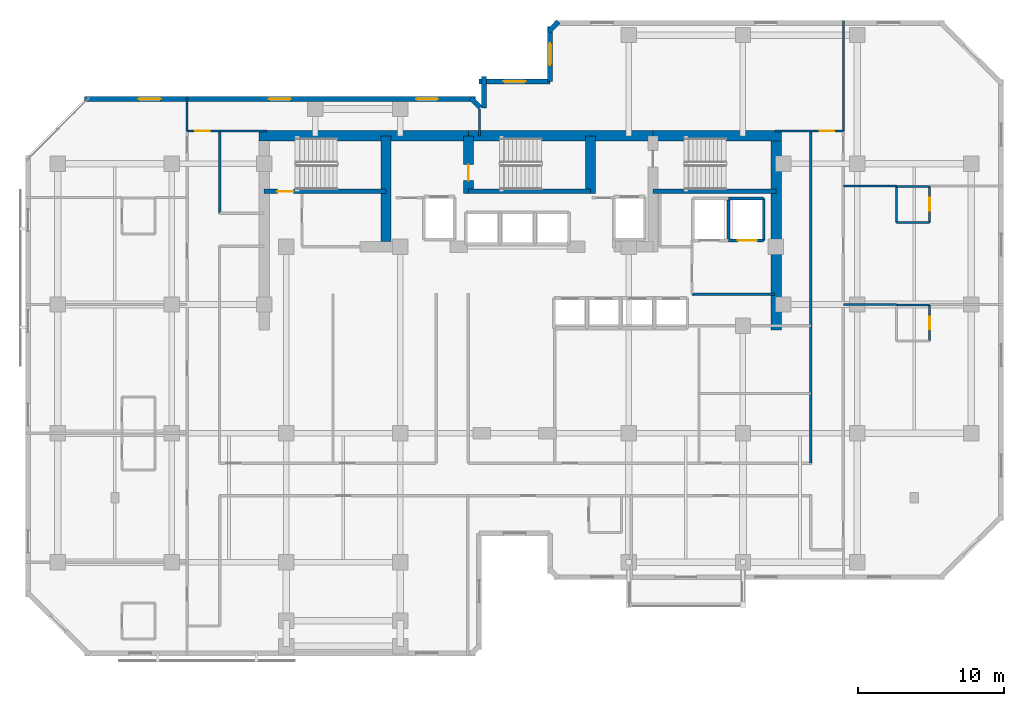
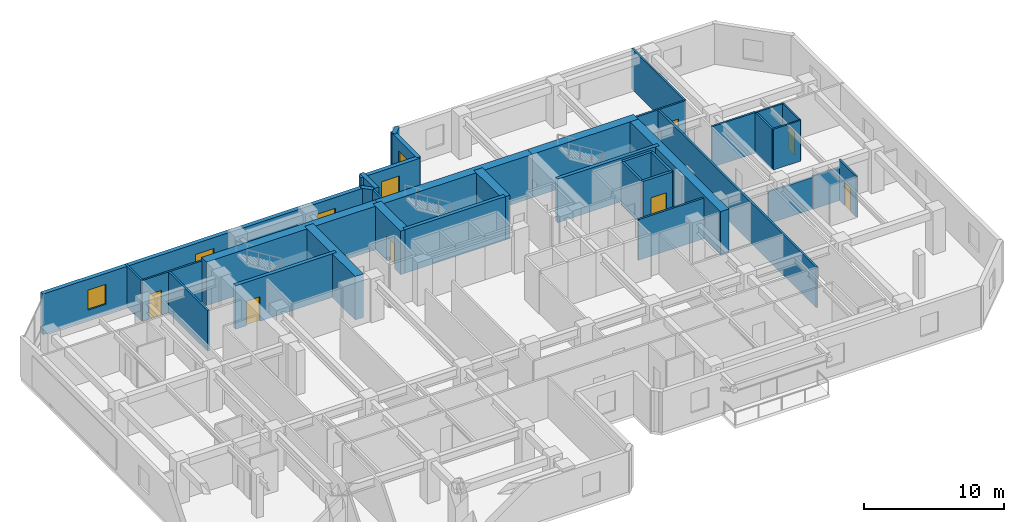
# One storey, part 8 of 11: 36 walls, 7 doors, 5 windows, 12 openings.
"""IFC4 building model written with IfcOpenShell, lengths in metres."""

import ifcopenshell
import ifcopenshell.guid

model = None  # the IFC model being written
_history = None  # IfcOwnerHistory: only IFC2X3 demands one
_inside = {}  # id of a spatial element -> (the spatial element, [elements in it])
_under = {}  # id of a project, library or spatial element -> (it, [spatial elements below it])
_declared = {}  # id of a project -> (the project, [libraries it declares])
_typed = {}  # id of a type object -> (the type object, [elements of that type])
_made_of = {}  # id of a material, layer set ... -> (it, [elements and type objects made of it])


def new_model(schema):
    """Start an empty IFC model of exactly this schema.

    Asked for "IFC4X3", IfcOpenShell would pick the latest addendum, in which some entities
    have other attributes; the version numbers below select the first issue.
    IFC2X3 requires an IfcOwnerHistory on every rooted entity: one is made here for all.
    """
    global model, _history
    if schema == "IFC4X3":
        model = ifcopenshell.file(schema_version=(4, 3, 0, 0))
    else:
        model = ifcopenshell.file(schema=schema)
    _inside.clear()
    _under.clear()
    _declared.clear()
    _typed.clear()
    _made_of.clear()
    _history = None
    if model.schema == "IFC2X3":
        org = make("IfcOrganization", Name="unknown")
        user = make(
            "IfcPersonAndOrganization",
            ThePerson=make("IfcPerson", FamilyName="unknown"),
            TheOrganization=org,
        )
        app = make(
            "IfcApplication",
            ApplicationDeveloper=org,
            Version="unknown",
            ApplicationFullName="unknown",
            ApplicationIdentifier="unknown",
        )
        _history = make(
            "IfcOwnerHistory",
            OwningUser=user,
            OwningApplication=app,
            ChangeAction="ADDED",
            CreationDate=0,
        )
    return model


def make(cls, **values):
    """One entity of the class cls with the attributes given. An attribute that is None is left unset."""
    return model.create_entity(
        cls, **{name: value for name, value in values.items() if value is not None}
    )


def rooted(cls, **values):
    """An entity with a GlobalId (a new one), such as an element, a storey or a relation."""
    return make(cls, GlobalId=ifcopenshell.guid.new(), OwnerHistory=_history, **values)


def si_unit(unit_type, name, prefix=None):
    """IfcSIUnit, for example si_unit("LENGTHUNIT", "METRE", prefix="MILLI")."""
    return make("IfcSIUnit", UnitType=unit_type, Prefix=prefix, Name=name)


def assignment(units):
    """IfcUnitAssignment: the units of a project."""
    return None if units is None else make("IfcUnitAssignment", Units=units)


def point(xyz):
    """IfcCartesianPoint."""
    return None if xyz is None else make("IfcCartesianPoint", Coordinates=xyz)


def direction(xyz):
    """IfcDirection."""
    return None if xyz is None else make("IfcDirection", DirectionRatios=xyz)


def frame(location, z_axis=None, x_axis=None):
    """IfcAxis2Placement3D, a coordinate frame: its origin and axes. An axis left out is left unset."""
    return make(
        "IfcAxis2Placement3D",
        Location=point(location),
        Axis=direction(z_axis),
        RefDirection=direction(x_axis),
    )


def frame_2d(location, x_axis=None):
    """IfcAxis2Placement2D, a coordinate frame in the plane: its origin and x axis."""
    return make(
        "IfcAxis2Placement2D", Location=point(location), RefDirection=direction(x_axis)
    )


def origin():
    """The frame at (0, 0, 0) with its axes left unset."""
    return frame((0.0, 0.0, 0.0))


def place(relative_to, where):
    """IfcLocalPlacement: puts the frame where relative to a parent placement (None: the world)."""
    return make(
        "IfcLocalPlacement", PlacementRelTo=relative_to, RelativePlacement=where
    )


def context(
    kind, dimensions, precision=None, world=None, true_north=None, identifier=None
):
    """IfcGeometricRepresentationContext, for example the 3D "Model" context."""
    return make(
        "IfcGeometricRepresentationContext",
        ContextIdentifier=identifier,
        ContextType=kind,
        CoordinateSpaceDimension=dimensions,
        Precision=precision,
        WorldCoordinateSystem=world,
        TrueNorth=true_north,
    )


def subcontext(parent, identifier, kind, view, scale=None):
    """IfcGeometricRepresentationSubContext, for example "Body" below "Model"."""
    return make(
        "IfcGeometricRepresentationSubContext",
        ContextIdentifier=identifier,
        ContextType=kind,
        ParentContext=parent,
        TargetScale=scale,
        TargetView=view,
    )


def project(units=None, contexts=None):
    """IfcProject with its units and contexts."""
    return rooted(
        "IfcProject",
        Name="project",
        RepresentationContexts=contexts,
        UnitsInContext=assignment(units),
    )


def spatial(cls, under=None, at=None, **own):
    """A site, building, storey or space (cls), placed at a placement, below another one or the project."""
    s = rooted(cls, ObjectPlacement=at, **own)
    if under is not None:
        _under.setdefault(under.id(), (under, []))[1].append(s)
    return s


def profile(cls, at=None, kind="AREA", **sizes):
    """A parametric profile (cls). Its sizes go by their IFC names, for example OverallWidth=200.0."""
    return make(cls, ProfileType=kind, Position=at, **sizes)


def rectangle(**sizes):
    """IfcRectangleProfileDef."""
    return profile("IfcRectangleProfileDef", **sizes)


def extrude(swept, where, along, depth):
    """IfcExtrudedAreaSolid: the profile swept, set in the frame where, extruded along a direction by depth."""
    return make(
        "IfcExtrudedAreaSolid",
        SweptArea=swept,
        Position=where,
        ExtrudedDirection=direction(along),
        Depth=depth,
    )


def shape(context_of_items, identifier, shape_type, items):
    """IfcShapeRepresentation: the items that make up one representation, for example the "Body"."""
    return make(
        "IfcShapeRepresentation",
        ContextOfItems=context_of_items,
        RepresentationIdentifier=identifier,
        RepresentationType=shape_type,
        Items=items,
    )


def material(Name=None, Category=None):
    """IfcMaterial."""
    return make("IfcMaterial", Name=Name, Category=Category)


def layer(
    of_material, thickness, ventilated=None, Name=None, Category=None, Priority=None
):
    """IfcMaterialLayer: one layer of a wall or slab, of a material (None: an air gap)."""
    return make(
        "IfcMaterialLayer",
        Material=of_material,
        LayerThickness=thickness,
        IsVentilated=ventilated,
        Name=Name,
        Category=Category,
        Priority=Priority,
    )


def layer_set(layers, Name=None):
    """IfcMaterialLayerSet."""
    return make("IfcMaterialLayerSet", MaterialLayers=layers, LayerSetName=Name)


def made_of(thing, what):
    """Note that an element or type object is made of a material, layer set ...; save() writes the relation."""
    if what is not None:
        _made_of.setdefault(what.id(), (what, []))[1].append(thing)
    return thing


def type_object(cls, material=None, **own):
    """A type object (cls), such as IfcWallType, which elements share."""
    return made_of(rooted(cls, **own), material)


def element(
    cls,
    number,
    at=None,
    inside=None,
    cuts=None,
    type_object=None,
    material=None,
    context=None,
    identifier="Body",
    shape_type=None,
    held_by="IfcProductDefinitionShape",
    body=None,
    shapes=None,
    **own,
):
    """One element of the class cls, such as IfcWall. Its Tag is "e" and its number.

    at: its placement. inside: the storey or other place that contains it. cuts: it is an
    opening in that element (IfcRelVoidsElement). A single representation is given by context,
    identifier, shape_type and body (its items); several are given by shapes. held_by: the class
    of the entity that holds the representations. save() writes the other relations.
    """
    e = rooted(cls, Tag="e%d" % number, ObjectPlacement=at, **own)
    if body is not None:
        shapes = [shape(context, identifier, shape_type, body)]
    if shapes is not None:
        e.Representation = make(held_by, Representations=shapes)
    if inside is not None:
        _inside.setdefault(inside.id(), (inside, []))[1].append(e)
    if cuts is not None:
        rooted(
            "IfcRelVoidsElement", RelatingBuildingElement=cuts, RelatedOpeningElement=e
        )
    if type_object is not None:
        _typed.setdefault(type_object.id(), (type_object, []))[1].append(e)
    return made_of(e, material)


def fill(opening, filler):
    """IfcRelFillsElement: the door or window that sits in an opening."""
    return rooted(
        "IfcRelFillsElement",
        RelatingOpeningElement=opening,
        RelatedBuildingElement=filler,
    )


def aggregate(whole, parts):
    """IfcRelAggregates: a whole, such as a stair, and the parts it consists of."""
    return rooted("IfcRelAggregates", RelatingObject=whole, RelatedObjects=parts)


def save(model, path):
    """Write the relations noted so far, then the file.

    IfcRelAggregates (storeys below a building ...), IfcRelContainedInSpatialStructure (elements
    in a storey), IfcRelDefinesByType, IfcRelAssociatesMaterial and IfcRelDeclares: one each for
    every whole, place, type object, material and project.
    """
    for whole, parts in _under.values():
        aggregate(whole, parts)
    for where, things in _inside.values():
        rooted(
            "IfcRelContainedInSpatialStructure",
            RelatedElements=things,
            RelatingStructure=where,
        )
    for kind, things in _typed.values():
        rooted("IfcRelDefinesByType", RelatedObjects=things, RelatingType=kind)
    for what, things in _made_of.values():
        rooted("IfcRelAssociatesMaterial", RelatedObjects=things, RelatingMaterial=what)
    for by, libraries in _declared.values():
        rooted("IfcRelDeclares", RelatingContext=by, RelatedDefinitions=libraries)
    model.write(path)


model = new_model("IFC4")

# Units and contexts
model_context = context("Model", 3, precision=1e-05, world=origin(), true_north=direction((0.0, 1.0)))
body_context = subcontext(model_context, "Body", "Model", "MODEL_VIEW")
ifc_project = project(units=[si_unit("LENGTHUNIT", "METRE"), si_unit("AREAUNIT", "SQUARE_METRE"), si_unit("VOLUMEUNIT", "CUBIC_METRE"), si_unit("PLANEANGLEUNIT", "RADIAN"), si_unit("MASSUNIT", "GRAM", prefix="KILO")], contexts=[model_context])

# Site, building, storey
site_placement = place(None, origin())
site = spatial("IfcSite", under=ifc_project, at=site_placement, CompositionType="ELEMENT")
building_placement = place(site_placement, origin())
building = spatial("IfcBuilding", under=site, at=building_placement, Name="Kestravale Grand Hotel", CompositionType="ELEMENT")
storey_placement = place(building_placement, frame((0.0, 0.0, 157.39990234375)))
storey = spatial("IfcBuildingStorey", under=building, at=storey_placement, Name="L39", CompositionType="ELEMENT", Elevation=157.39990234375)

# Walls
ifc_material_1 = material(Name="Concrete f'c 60 MPa", Category="concrete")
ifc_layer_1 = layer(ifc_material_1, 0.699951171875)
ifc_layer_set_1 = layer_set([ifc_layer_1], Name="EW-CORE-700")
wall_type_1 = type_object("IfcWallType", Name="EW-CORE-700", PredefinedType="SHEAR", material=ifc_layer_set_1)
wall_1_placement = place(storey_placement, frame((21.550048828125, 40.320068359375, 0.0), z_axis=(0.0, 0.0, 1.0), x_axis=(1.0, 0.0, 0.0)))
element("IfcWall", 1, at=wall_1_placement, inside=storey, type_object=wall_type_1, Name="L39 core shear wall N1", PredefinedType="SHEAR", context=body_context, shape_type="SweptSolid", body=[
    extrude(rectangle(XDim=14.300048828125, YDim=0.699951171875, at=frame_2d((7.14990234375, 0.0))), origin(), (0.0, 0.0, 1.0), 3.800048828125),
])
wall_2_placement = place(storey_placement, frame((35.85009765625, 40.320068359375, 0.0), z_axis=(0.0, 0.0, 1.0), x_axis=(1.0, 0.0, 0.0)))
element("IfcWall", 2, at=wall_2_placement, inside=storey, type_object=wall_type_1, Name="L39 core shear wall N2", PredefinedType="SHEAR", context=body_context, shape_type="SweptSolid", body=[
    extrude(rectangle(XDim=12.599853515625, YDim=0.699951171875, at=frame_2d((6.2998046875, 0.0))), origin(), (0.0, 0.0, 1.0), 3.800048828125),
])
wall_3_placement = place(storey_placement, frame((48.449951171875, 40.320068359375, 0.0), z_axis=(0.0, 0.0, 1.0), x_axis=(1.0, 0.0, 0.0)))
element("IfcWall", 3, at=wall_3_placement, inside=storey, type_object=wall_type_1, Name="L39 core shear wall N3", PredefinedType="SHEAR", context=body_context, shape_type="SweptSolid", body=[
    extrude(rectangle(XDim=8.77001953125, YDim=0.699951171875, at=frame_2d((4.385009765625, 0.0))), origin(), (0.0, 0.0, 1.0), 3.800048828125),
])
wall_4_placement = place(storey_placement, frame((56.8701171875, 27.050048828125, 0.0), z_axis=(0.0, 0.0, 1.0), x_axis=(0.0, 1.0, 0.0)))
element("IfcWall", 4, at=wall_4_placement, inside=storey, type_object=wall_type_1, Name="L39 core shear wall E1", PredefinedType="SHEAR", context=body_context, shape_type="SweptSolid", body=[
    extrude(rectangle(XDim=13.619873046875, YDim=0.699951171875, at=frame_2d((6.81005859375, 0.0))), origin(), (0.0, 0.0, 1.0), 3.800048828125),
])
wall_5_placement = place(storey_placement, frame((30.219970703125, 33.10009765625, 0.0), z_axis=(0.0, 0.0, 1.0), x_axis=(0.0, 1.0, 0.0)))
element("IfcWall", 5, at=wall_5_placement, inside=storey, type_object=wall_type_1, Name="L39 core shear wall X1", PredefinedType="SHEAR", context=body_context, shape_type="SweptSolid", body=[
    extrude(rectangle(XDim=7.219970703125, YDim=0.699951171875, at=frame_2d((3.60986328125, 0.0))), origin(), (0.0, 0.0, 1.0), 3.800048828125),
])

# Wall, opening, door
wall_6_placement = place(storey_placement, frame((35.85009765625, 36.3701171875, 0.0), z_axis=(0.0, 0.0, 1.0), x_axis=(0.0, 1.0, 0.0)))
wall_6 = element("IfcWall", 6, at=wall_6_placement, inside=storey, type_object=wall_type_1, Name="L39 core shear wall X2", PredefinedType="SHEAR", context=body_context, shape_type="SweptSolid", body=[
    extrude(rectangle(XDim=3.949951171875, YDim=0.699951171875, at=frame_2d((1.97509765625, 0.0))), origin(), (0.0, 0.0, 1.0), 3.800048828125),
])
opening_1_placement = place(wall_6_placement, frame((0.8798828125, 0.0, 0.0)))
opening_1 = element("IfcOpeningElement", 7, at=opening_1_placement, cuts=wall_6, Name="Opening D-ST-1100", PredefinedType="OPENING", context=body_context, shape_type="SweptSolid", body=[
    extrude(rectangle(XDim=1.10009765625, YDim=2.14990234375, at=frame_2d((0.550048828125, 1.074951171875))), frame((0.0, 0.35986328125, 0.0), z_axis=(0.0, -1.0, 0.0), x_axis=(1.0, 0.0, 0.0)), (0.0, 0.0, 1.0), 0.719970703125),
])
ifc_material_2 = material(Name="Galvanised 90-minute fire-rated steel stair door", Category="steel")
door_type_1 = type_object("IfcDoorType", Name="D-ST-1100", OperationType="NOTDEFINED", PredefinedType="DOOR", material=ifc_material_2)
door_1_placement = place(opening_1_placement, origin())
door_1 = element("IfcDoor", 8, at=door_1_placement, inside=storey, type_object=door_type_1, Name="L39 Stair ST-2 FSAE fire door", OperationType="SINGLE_SWING_RIGHT", OverallHeight=2.14990234375, OverallWidth=1.10009765625, PredefinedType="DOOR", context=body_context, shape_type="SweptSolid", body=[
    extrude(rectangle(XDim=1.10009765625, YDim=2.14990234375, at=frame_2d((0.550048828125, 1.074951171875))), frame((0.0, 0.02490234375, 0.0), z_axis=(0.0, -1.0, 0.0), x_axis=(1.0, 0.0, 0.0)), (0.0, 0.0, 1.0), 0.050048828125),
])
fill(opening_1, door_1)

# Walls
wall_7_placement = place(storey_placement, frame((44.179931640625, 36.3701171875, 0.0), z_axis=(0.0, 0.0, 1.0), x_axis=(0.0, 1.0, 0.0)))
element("IfcWall", 9, at=wall_7_placement, inside=storey, type_object=wall_type_1, Name="L39 core shear wall X3", PredefinedType="SHEAR", context=body_context, shape_type="SweptSolid", body=[
    extrude(rectangle(XDim=3.949951171875, YDim=0.699951171875, at=frame_2d((1.97509765625, 0.0))), origin(), (0.0, 0.0, 1.0), 3.800048828125),
])
ifc_material_3 = material(Name="Precast concrete f'c 45 MPa", Category="concrete")
ifc_layer_2 = layer(ifc_material_3, 0.340087890625)
ifc_layer_set_2 = layer_set([ifc_layer_2], Name="EW-PREC-340")
wall_type_2 = type_object("IfcWallType", Name="EW-PREC-340", PredefinedType="SOLIDWALL", material=ifc_layer_set_2)
wall_8_placement = place(storey_placement, frame((41.99853515625, 48.108154296875, 0.0), z_axis=(0.0, 0.0, 1.0), x_axis=(-0.707106781187, -0.707106781187, 0.0)))
element("IfcWall", 10, at=wall_8_placement, inside=storey, type_object=wall_type_2, Name="L39 fluted precast facade wall 12", PredefinedType="SOLIDWALL", context=body_context, shape_type="SweptSolid", body=[
    extrude(rectangle(XDim=0.9287109375, YDim=0.340087890625, at=frame_2d((0.46435546875, 0.0))), origin(), (0.0, 0.0, 1.0), 3.550048828125),
])

# Wall, opening, window
wall_9_placement = place(storey_placement, frame((41.419921875, 47.77001953125, 0.0), z_axis=(0.0, 0.0, 1.0), x_axis=(0.0, -1.0, 0.0)))
wall_9 = element("IfcWall", 11, at=wall_9_placement, inside=storey, type_object=wall_type_2, Name="L39 fluted precast facade wall 13", PredefinedType="SOLIDWALL", context=body_context, shape_type="SweptSolid", body=[
    extrude(rectangle(XDim=3.739990234375, YDim=0.340087890625, at=frame_2d((1.8701171875, 0.0))), origin(), (0.0, 0.0, 1.0), 3.550048828125),
])
opening_2_placement = place(wall_9_placement, frame((1.1201171875, 0.0, 0.85009765625)))
opening_2 = element("IfcOpeningElement", 12, at=opening_2_placement, cuts=wall_9, Name="Opening W-GUEST-1500", PredefinedType="OPENING", context=body_context, shape_type="SweptSolid", body=[
    extrude(rectangle(XDim=1.5, YDim=1.75, at=frame_2d((0.75, 0.875))), frame((0.0, 0.179931640625, 0.0), z_axis=(0.0, -1.0, 0.0), x_axis=(1.0, 0.0, 0.0)), (0.0, 0.0, 1.0), 0.360107421875),
])
ifc_material_4 = material(Name="Insulated low-E double glazing in aluminium frame", Category="aluminium")
window_type = type_object("IfcWindowType", Name="W-GUEST-1500", PartitioningType="SINGLE_PANEL", PredefinedType="WINDOW", material=ifc_material_4)
window_1_placement = place(opening_2_placement, origin())
window_1 = element("IfcWindow", 13, at=window_1_placement, inside=storey, type_object=window_type, Name="L39 exterior window 13.1", OverallHeight=1.75, OverallWidth=1.5, PartitioningType="SINGLE_PANEL", PredefinedType="WINDOW", context=body_context, shape_type="SweptSolid", body=[
    extrude(rectangle(XDim=1.5, YDim=1.75, at=frame_2d((0.75, 0.875))), frame((0.0, 0.030029296875, 0.0), z_axis=(0.0, -1.0, 0.0), x_axis=(1.0, 0.0, 0.0)), (0.0, 0.0, 1.0), 0.06005859375),
])
fill(opening_2, window_1)

wall_10_placement = place(storey_placement, frame((41.419921875, 44.030029296875, 0.0), z_axis=(0.0, 0.0, 1.0), x_axis=(-1.0, 0.0, 0.0)))
wall_10 = element("IfcWall", 14, at=wall_10_placement, inside=storey, type_object=wall_type_2, Name="L39 fluted precast facade wall 14", PredefinedType="SOLIDWALL", context=body_context, shape_type="SweptSolid", body=[
    extrude(rectangle(XDim=4.83984375, YDim=0.340087890625, at=frame_2d((2.419921875, 0.0))), origin(), (0.0, 0.0, 1.0), 3.550048828125),
])
opening_3_placement = place(wall_10_placement, frame((1.669921875, 0.0, 0.85009765625)))
opening_3 = element("IfcOpeningElement", 15, at=opening_3_placement, cuts=wall_10, Name="Opening W-GUEST-1500", PredefinedType="OPENING", context=body_context, shape_type="SweptSolid", body=[
    extrude(rectangle(XDim=1.5, YDim=1.75, at=frame_2d((0.75, 0.875))), frame((0.0, 0.179931640625, 0.0), z_axis=(0.0, -1.0, 0.0), x_axis=(1.0, 0.0, 0.0)), (0.0, 0.0, 1.0), 0.360107421875),
])
window_2_placement = place(opening_3_placement, origin())
window_2 = element("IfcWindow", 16, at=window_2_placement, inside=storey, type_object=window_type, Name="L39 exterior window 14.1", OverallHeight=1.75, OverallWidth=1.5, PartitioningType="SINGLE_PANEL", PredefinedType="WINDOW", context=body_context, shape_type="SweptSolid", body=[
    extrude(rectangle(XDim=1.5, YDim=1.75, at=frame_2d((0.75, 0.875))), frame((0.0, 0.030029296875, 0.0), z_axis=(0.0, -1.0, 0.0), x_axis=(1.0, 0.0, 0.0)), (0.0, 0.0, 1.0), 0.06005859375),
])
fill(opening_3, window_2)

# Walls
wall_11_placement = place(storey_placement, frame((36.919921875, 44.3701171875, 0.0), z_axis=(0.0, 0.0, 1.0), x_axis=(0.0, -1.0, 0.0)))
element("IfcWall", 17, at=wall_11_placement, inside=storey, type_object=wall_type_2, Name="L39 fluted precast facade wall 15", PredefinedType="SOLIDWALL", context=body_context, shape_type="SweptSolid", body=[
    extrude(rectangle(XDim=2.14013671875, YDim=0.340087890625, at=frame_2d((1.070068359375, 0.0))), origin(), (0.0, 0.0, 1.0), 3.550048828125),
])
wall_12_placement = place(storey_placement, frame((36.658203125, 42.25146484375, 0.0), z_axis=(0.0, 0.0, 1.0), x_axis=(-0.707106781187, 0.707106781187, 0.0)))
element("IfcWall", 18, at=wall_12_placement, inside=storey, type_object=wall_type_2, Name="L39 fluted precast facade wall 16", PredefinedType="SOLIDWALL", context=body_context, shape_type="SweptSolid", body=[
    extrude(rectangle(XDim=0.9287109375, YDim=0.340087890625, at=frame_2d((0.46435546875, 0.0))), origin(), (0.0, 0.0, 1.0), 3.550048828125),
])

# Wall, openings, windows
wall_13_placement = place(storey_placement, frame((36.320068359375, 42.830078125, 0.0), z_axis=(0.0, 0.0, 1.0), x_axis=(-1.0, 0.0, 0.0)))
wall_13 = element("IfcWall", 19, at=wall_13_placement, inside=storey, type_object=wall_type_2, Name="L39 fluted precast facade wall 17", PredefinedType="SOLIDWALL", context=body_context, shape_type="SweptSolid", body=[
    extrude(rectangle(XDim=26.690185546875, YDim=0.340087890625, at=frame_2d((13.34521484375, 0.0))), origin(), (0.0, 0.0, 1.0), 3.550048828125),
])
opening_4_placement = place(wall_13_placement, frame((2.54833984375, 0.0, 0.85009765625)))
opening_4 = element("IfcOpeningElement", 20, at=opening_4_placement, cuts=wall_13, Name="Opening W-GUEST-1500", PredefinedType="OPENING", context=body_context, shape_type="SweptSolid", body=[
    extrude(rectangle(XDim=1.5, YDim=1.75, at=frame_2d((0.75, 0.875))), frame((0.0, 0.179931640625, 0.0), z_axis=(0.0, -1.0, 0.0), x_axis=(1.0, 0.0, 0.0)), (0.0, 0.0, 1.0), 0.360107421875),
])
opening_5_placement = place(wall_13_placement, frame((12.594970703125, 0.0, 0.85009765625)))
opening_5 = element("IfcOpeningElement", 21, at=opening_5_placement, cuts=wall_13, Name="Opening W-GUEST-1500", PredefinedType="OPENING", context=body_context, shape_type="SweptSolid", body=[
    extrude(rectangle(XDim=1.5, YDim=1.75, at=frame_2d((0.75, 0.875))), frame((0.0, 0.179931640625, 0.0), z_axis=(0.0, -1.0, 0.0), x_axis=(1.0, 0.0, 0.0)), (0.0, 0.0, 1.0), 0.360107421875),
])
opening_6_placement = place(wall_13_placement, frame((21.49169921875, 0.0, 0.85009765625)))
opening_6 = element("IfcOpeningElement", 22, at=opening_6_placement, cuts=wall_13, Name="Opening W-GUEST-1500", PredefinedType="OPENING", context=body_context, shape_type="SweptSolid", body=[
    extrude(rectangle(XDim=1.5, YDim=1.75, at=frame_2d((0.75, 0.875))), frame((0.0, 0.179931640625, 0.0), z_axis=(0.0, -1.0, 0.0), x_axis=(1.0, 0.0, 0.0)), (0.0, 0.0, 1.0), 0.360107421875),
])
window_3_placement = place(opening_4_placement, origin())
window_3 = element("IfcWindow", 23, at=window_3_placement, inside=storey, type_object=window_type, Name="L39 exterior window 17.1", OverallHeight=1.75, OverallWidth=1.5, PartitioningType="SINGLE_PANEL", PredefinedType="WINDOW", context=body_context, shape_type="SweptSolid", body=[
    extrude(rectangle(XDim=1.5, YDim=1.75, at=frame_2d((0.75, 0.875))), frame((0.0, 0.030029296875, 0.0), z_axis=(0.0, -1.0, 0.0), x_axis=(1.0, 0.0, 0.0)), (0.0, 0.0, 1.0), 0.06005859375),
])
fill(opening_4, window_3)
window_4_placement = place(opening_5_placement, origin())
window_4 = element("IfcWindow", 24, at=window_4_placement, inside=storey, type_object=window_type, Name="L39 exterior window 17.2", OverallHeight=1.75, OverallWidth=1.5, PartitioningType="SINGLE_PANEL", PredefinedType="WINDOW", context=body_context, shape_type="SweptSolid", body=[
    extrude(rectangle(XDim=1.5, YDim=1.75, at=frame_2d((0.75, 0.875))), frame((0.0, 0.030029296875, 0.0), z_axis=(0.0, -1.0, 0.0), x_axis=(1.0, 0.0, 0.0)), (0.0, 0.0, 1.0), 0.06005859375),
])
fill(opening_5, window_4)
window_5_placement = place(opening_6_placement, origin())
window_5 = element("IfcWindow", 25, at=window_5_placement, inside=storey, type_object=window_type, Name="L39 exterior window 17.3", OverallHeight=1.75, OverallWidth=1.5, PartitioningType="SINGLE_PANEL", PredefinedType="WINDOW", context=body_context, shape_type="SweptSolid", body=[
    extrude(rectangle(XDim=1.5, YDim=1.75, at=frame_2d((0.75, 0.875))), frame((0.0, 0.030029296875, 0.0), z_axis=(0.0, -1.0, 0.0), x_axis=(1.0, 0.0, 0.0)), (0.0, 0.0, 1.0), 0.06005859375),
])
fill(opening_6, window_5)

# Wall, opening, door
ifc_material_5 = material(Name="Concrete f'c 45 MPa", Category="concrete")
ifc_layer_3 = layer(ifc_material_5, 0.300048828125)
ifc_layer_set_3 = layer_set([ifc_layer_3], Name="EW-STAIR-300")
wall_type_3 = type_object("IfcWallType", Name="EW-STAIR-300", PredefinedType="SHEAR", material=ifc_layer_set_3)
wall_14_placement = place(storey_placement, frame((21.89990234375, 36.52001953125, 0.0), z_axis=(0.0, 0.0, 1.0), x_axis=(1.0, 0.0, 0.0)))
wall_14 = element("IfcWall", 26, at=wall_14_placement, inside=storey, type_object=wall_type_3, Name="L39 stair enclosure shear wall SST1", PredefinedType="SHEAR", context=body_context, shape_type="SweptSolid", body=[
    extrude(rectangle(XDim=8.320068359375, YDim=0.300048828125, at=frame_2d((4.16015625, 0.0))), origin(), (0.0, 0.0, 1.0), 3.800048828125),
])
opening_7_placement = place(wall_14_placement, frame((0.89990234375, 0.0, 0.0)))
opening_7 = element("IfcOpeningElement", 27, at=opening_7_placement, cuts=wall_14, Name="Opening D-ST-1100", PredefinedType="OPENING", context=body_context, shape_type="SweptSolid", body=[
    extrude(rectangle(XDim=1.10009765625, YDim=2.14990234375, at=frame_2d((0.550048828125, 1.074951171875))), frame((0.0, 0.159912109375, 0.0), z_axis=(0.0, -1.0, 0.0), x_axis=(1.0, 0.0, 0.0)), (0.0, 0.0, 1.0), 0.320068359375),
])
door_2_placement = place(opening_7_placement, origin())
door_2 = element("IfcDoor", 28, at=door_2_placement, inside=storey, type_object=door_type_1, Name="L39 Stair ST-1 fire door", OperationType="SINGLE_SWING_RIGHT", OverallHeight=2.14990234375, OverallWidth=1.10009765625, PredefinedType="DOOR", context=body_context, shape_type="SweptSolid", body=[
    extrude(rectangle(XDim=1.10009765625, YDim=2.14990234375, at=frame_2d((0.550048828125, 1.074951171875))), frame((0.0, 0.02490234375, 0.0), z_axis=(0.0, -1.0, 0.0), x_axis=(1.0, 0.0, 0.0)), (0.0, 0.0, 1.0), 0.050048828125),
])
fill(opening_7, door_2)

# Walls
wall_15_placement = place(storey_placement, frame((35.85009765625, 36.52001953125, 0.0), z_axis=(0.0, 0.0, 1.0), x_axis=(1.0, 0.0, 0.0)))
element("IfcWall", 29, at=wall_15_placement, inside=storey, type_object=wall_type_3, Name="L39 stair enclosure shear wall SST2", PredefinedType="SHEAR", context=body_context, shape_type="SweptSolid", body=[
    extrude(rectangle(XDim=8.329833984375, YDim=0.300048828125, at=frame_2d((4.1650390625, 0.0))), origin(), (0.0, 0.0, 1.0), 3.800048828125),
])
wall_16_placement = place(storey_placement, frame((48.449951171875, 36.52001953125, 0.0), z_axis=(0.0, 0.0, 1.0), x_axis=(1.0, 0.0, 0.0)))
element("IfcWall", 30, at=wall_16_placement, inside=storey, type_object=wall_type_3, Name="L39 stair enclosure shear wall SST3", PredefinedType="SHEAR", context=body_context, shape_type="SweptSolid", body=[
    extrude(rectangle(XDim=8.420166015625, YDim=0.300048828125, at=frame_2d((4.2099609375, 0.0))), origin(), (0.0, 0.0, 1.0), 3.800048828125),
])
ifc_material_6 = material(Name="Acoustic fire-rated gypsum board partition", Category="other")
ifc_layer_4 = layer(ifc_material_6, 0.159912109375)
ifc_layer_set_4 = layer_set([ifc_layer_4], Name="IW-CORR-160")
wall_type_4 = type_object("IfcWallType", Name="IW-CORR-160", PredefinedType="PARTITIONING", material=ifc_layer_set_4)
for number, where, z_axis, x_axis, name in (
    (31, (51.1201171875, 29.5, 0.0), (0.0, 0.0, 1.0), (1.0, 0.0, 0.0), "L39 service lift lobby wall"),
    (32, (18.860107421875, 35.02001953125, 0.0), (0.0, 0.0, 1.0), (0.0, 1.0, 0.0), "W-L39-SW-EN"),
):
    element("IfcWall", number, at=place(storey_placement, frame(where, z_axis=z_axis, x_axis=x_axis)), inside=storey, type_object=wall_type_4, Name=name, PredefinedType="PARTITIONING", context=body_context, shape_type="SweptSolid", body=[
        extrude(rectangle(XDim=5.6298828125, YDim=0.159912109375, at=frame_2d((2.81494140625, 0.0))), origin(), (0.0, 0.0, 1.0), 3.550048828125),
    ])
wall_17_placement = place(storey_placement, frame((59.239990234375, 17.9599609375, 0.0), z_axis=(0.0, 0.0, 1.0), x_axis=(0.0, 1.0, 0.0)))
element("IfcWall", 33, at=wall_17_placement, inside=storey, type_object=wall_type_4, Name="W-L39-SE-WU", PredefinedType="PARTITIONING", context=body_context, shape_type="SweptSolid", body=[
    extrude(rectangle(XDim=22.68994140625, YDim=0.159912109375, at=frame_2d((11.344970703125, 0.0))), origin(), (0.0, 0.0, 1.0), 3.550048828125),
])

# Wall, opening, door
ifc_material_7 = material(Name="Moisture-resistant tile-backer plumbing chase wall", Category="other")
ifc_layer_5 = layer(ifc_material_7, 0.139892578125)
ifc_layer_set_5 = layer_set([ifc_layer_5], Name="IW-PLB-140")
wall_type_5 = type_object("IfcWallType", Name="IW-PLB-140", PredefinedType="PLUMBINGWALL", material=ifc_layer_set_5)
wall_18_placement = place(storey_placement, frame((67.35009765625, 26.31005859375, 0.0), z_axis=(0.0, 0.0, 1.0), x_axis=(0.0, 1.0, 0.0)))
wall_18 = element("IfcWall", 34, at=wall_18_placement, inside=storey, type_object=wall_type_5, Name="W-L39-U06-BE", PredefinedType="PLUMBINGWALL", context=body_context, shape_type="SweptSolid", body=[
    extrude(rectangle(XDim=2.449951171875, YDim=0.139892578125, at=frame_2d((1.22509765625, 0.0))), origin(), (0.0, 0.0, 1.0), 3.550048828125),
])
opening_8_placement = place(wall_18_placement, frame((0.784912109375, 0.0, 0.0)))
opening_8 = element("IfcOpeningElement", 35, at=opening_8_placement, cuts=wall_18, Name="Opening D-BATH-880", PredefinedType="OPENING", context=body_context, shape_type="SweptSolid", body=[
    extrude(rectangle(XDim=0.8798828125, YDim=2.050048828125, at=frame_2d((0.43994140625, 1.02490234375))), frame((0.0, 0.079833984375, 0.0), z_axis=(0.0, -1.0, 0.0), x_axis=(1.0, 0.0, 0.0)), (0.0, 0.0, 1.0), 0.159912109375),
])
ifc_material_8 = material(Name="Moisture-sealed walnut en-suite bathroom door", Category="wood")
door_type_2 = type_object("IfcDoorType", Name="D-BATH-880", OperationType="NOTDEFINED", PredefinedType="DOOR", material=ifc_material_8)
door_3_placement = place(opening_8_placement, origin())
door_3 = element("IfcDoor", 36, at=door_3_placement, inside=storey, type_object=door_type_2, Name="D-L39-U06-BATH", OperationType="SINGLE_SWING_LEFT", OverallHeight=2.050048828125, OverallWidth=0.8798828125, PredefinedType="DOOR", context=body_context, shape_type="SweptSolid", body=[
    extrude(rectangle(XDim=0.8798828125, YDim=2.050048828125, at=frame_2d((0.43994140625, 1.02490234375))), frame((0.0, 0.02490234375, 0.0), z_axis=(0.0, -1.0, 0.0), x_axis=(1.0, 0.0, 0.0)), (0.0, 0.0, 1.0), 0.050048828125),
])
fill(opening_8, door_3)

# Walls
wall_19_placement = place(storey_placement, frame((65.10009765625, 28.760009765625, 0.0), z_axis=(0.0, 0.0, 1.0), x_axis=(1.0, 0.0, 0.0)))
element("IfcWall", 37, at=wall_19_placement, inside=storey, type_object=wall_type_5, Name="W-L39-U06-BN", PredefinedType="PLUMBINGWALL", context=body_context, shape_type="SweptSolid", body=[
    extrude(rectangle(XDim=2.25, YDim=0.139892578125, at=frame_2d((1.125, 0.0))), origin(), (0.0, 0.0, 1.0), 2.900146484375),
])
wall_20_placement = place(storey_placement, frame((65.10009765625, 34.409912109375, 0.0), z_axis=(0.0, 0.0, 1.0), x_axis=(0.0, 1.0, 0.0)))
element("IfcWall", 38, at=wall_20_placement, inside=storey, type_object=wall_type_5, Name="W-L39-U07-BW", PredefinedType="PLUMBINGWALL", context=body_context, shape_type="SweptSolid", body=[
    extrude(rectangle(XDim=2.4501953125, YDim=0.139892578125, at=frame_2d((1.22509765625, 0.0))), origin(), (0.0, 0.0, 1.0), 3.550048828125),
])

# Wall, opening, door
wall_21_placement = place(storey_placement, frame((67.35009765625, 34.409912109375, 0.0), z_axis=(0.0, 0.0, 1.0), x_axis=(0.0, 1.0, 0.0)))
wall_21 = element("IfcWall", 39, at=wall_21_placement, inside=storey, type_object=wall_type_5, Name="W-L39-U07-BE", PredefinedType="PLUMBINGWALL", context=body_context, shape_type="SweptSolid", body=[
    extrude(rectangle(XDim=2.4501953125, YDim=0.139892578125, at=frame_2d((1.22509765625, 0.0))), origin(), (0.0, 0.0, 1.0), 3.550048828125),
])
opening_9_placement = place(wall_21_placement, frame((0.784912109375, 0.0, 0.0)))
opening_9 = element("IfcOpeningElement", 40, at=opening_9_placement, cuts=wall_21, Name="Opening D-BATH-880", PredefinedType="OPENING", context=body_context, shape_type="SweptSolid", body=[
    extrude(rectangle(XDim=0.8798828125, YDim=2.050048828125, at=frame_2d((0.43994140625, 1.02490234375))), frame((0.0, 0.079833984375, 0.0), z_axis=(0.0, -1.0, 0.0), x_axis=(1.0, 0.0, 0.0)), (0.0, 0.0, 1.0), 0.159912109375),
])
door_4_placement = place(opening_9_placement, origin())
door_4 = element("IfcDoor", 41, at=door_4_placement, inside=storey, type_object=door_type_2, Name="D-L39-U07-BATH", OperationType="SINGLE_SWING_LEFT", OverallHeight=2.050048828125, OverallWidth=0.8798828125, PredefinedType="DOOR", context=body_context, shape_type="SweptSolid", body=[
    extrude(rectangle(XDim=0.8798828125, YDim=2.050048828125, at=frame_2d((0.43994140625, 1.02490234375))), frame((0.0, 0.02490234375, 0.0), z_axis=(0.0, -1.0, 0.0), x_axis=(1.0, 0.0, 0.0)), (0.0, 0.0, 1.0), 0.050048828125),
])
fill(opening_9, door_4)

# Walls
for number, where, z_axis, x_axis, name in (
    (42, (65.10009765625, 34.409912109375, 0.0), (0.0, 0.0, 1.0), (1.0, 0.0, 0.0), "W-L39-U07-BS"),
    (43, (65.10009765625, 36.860107421875, 0.0), (0.0, 0.0, 1.0), (1.0, 0.0, 0.0), "W-L39-U07-BN"),
):
    element("IfcWall", number, at=place(storey_placement, frame(where, z_axis=z_axis, x_axis=x_axis)), inside=storey, type_object=wall_type_5, Name=name, PredefinedType="PLUMBINGWALL", context=body_context, shape_type="SweptSolid", body=[
        extrude(rectangle(XDim=2.25, YDim=0.139892578125, at=frame_2d((1.125, 0.0))), origin(), (0.0, 0.0, 1.0), 3.550048828125),
    ])
ifc_material_9 = material(Name="Concrete f'c 45 MPa", Category="concrete")
ifc_layer_6 = layer(ifc_material_9, 0.199951171875)
ifc_layer_set_6 = layer_set([ifc_layer_6], Name="IW-SHAFT-200")
wall_type_6 = type_object("IfcWallType", Name="IW-SHAFT-200", PredefinedType="SHEAR", material=ifc_layer_set_6)
for number, where, z_axis, x_axis, name in (
    (44, (53.60009765625, 33.169921875, 0.0), (0.0, 0.0, 1.0), (0.0, 1.0, 0.0), "L39 SL-2 west shaft wall"),
    (45, (56.02001953125, 33.169921875, 0.0), (0.0, 0.0, 1.0), (0.0, 1.0, 0.0), "L39 SL-2 east shaft wall"),
):
    element("IfcWall", number, at=place(storey_placement, frame(where, z_axis=z_axis, x_axis=x_axis)), inside=storey, type_object=wall_type_6, Name=name, PredefinedType="SHEAR", context=body_context, shape_type="SweptSolid", body=[
        extrude(rectangle(XDim=2.860107421875, YDim=0.199951171875, at=frame_2d((1.43017578125, 0.0))), origin(), (0.0, 0.0, 1.0), 3.800048828125),
    ])
ifc_material_10 = material(Name="Concrete f'c 45 MPa", Category="concrete")
ifc_layer_7 = layer(ifc_material_10, 0.219970703125)
ifc_layer_set_7 = layer_set([ifc_layer_7], Name="IW-SHAFT-220")
wall_type_7 = type_object("IfcWallType", Name="IW-SHAFT-220", PredefinedType="SHEAR", material=ifc_layer_set_7)
wall_22_placement = place(storey_placement, frame((53.60009765625, 36.030029296875, 0.0), z_axis=(0.0, 0.0, 1.0), x_axis=(1.0, 0.0, 0.0)))
element("IfcWall", 46, at=wall_22_placement, inside=storey, type_object=wall_type_7, Name="L39 SL-2 north shaft wall", PredefinedType="SHEAR", context=body_context, shape_type="SweptSolid", body=[
    extrude(rectangle(XDim=2.419921875, YDim=0.219970703125, at=frame_2d((1.2099609375, 0.0))), origin(), (0.0, 0.0, 1.0), 3.800048828125),
])

# Wall, opening, door
wall_23_placement = place(storey_placement, frame((53.60009765625, 33.169921875, 0.0), z_axis=(0.0, 0.0, 1.0), x_axis=(1.0, 0.0, 0.0)))
wall_23 = element("IfcWall", 47, at=wall_23_placement, inside=storey, type_object=wall_type_7, Name="L39 SL-2 south shaft wall", PredefinedType="SHEAR", context=body_context, shape_type="SweptSolid", body=[
    extrude(rectangle(XDim=2.419921875, YDim=0.219970703125, at=frame_2d((1.2099609375, 0.0))), origin(), (0.0, 0.0, 1.0), 3.800048828125),
])
opening_10_placement = place(wall_23_placement, frame((0.64990234375, 0.0, 0.0)))
opening_10 = element("IfcOpeningElement", 48, at=opening_10_placement, cuts=wall_23, Name="Opening LD-SVC-1300", PredefinedType="OPENING", context=body_context, shape_type="SweptSolid", body=[
    extrude(rectangle(XDim=1.300048828125, YDim=2.14990234375, at=frame_2d((0.64990234375, 1.074951171875))), frame((0.0, 0.119873046875, 0.0), z_axis=(0.0, -1.0, 0.0), x_axis=(1.0, 0.0, 0.0)), (0.0, 0.0, 1.0), 0.239990234375),
])
ifc_material_11 = material(Name="Heavy-duty service sliding elevator landing door", Category="steel")
door_type_3 = type_object("IfcDoorType", Name="LD-SVC-1300", OperationType="NOTDEFINED", PredefinedType="DOOR", material=ifc_material_11)
door_5_placement = place(opening_10_placement, origin())
door_5 = element("IfcDoor", 49, at=door_5_placement, inside=storey, type_object=door_type_3, Name="L39 SL-2 elevator landing sliding door", OperationType="DOUBLE_DOOR_SLIDING", OverallHeight=2.14990234375, OverallWidth=1.300048828125, PredefinedType="DOOR", context=body_context, shape_type="SweptSolid", body=[
    extrude(rectangle(XDim=1.300048828125, YDim=2.14990234375, at=frame_2d((0.64990234375, 1.074951171875))), frame((0.0, 0.02490234375, 0.0), z_axis=(0.0, -1.0, 0.0), x_axis=(1.0, 0.0, 0.0)), (0.0, 0.0, 1.0), 0.050048828125),
])
fill(opening_10, door_5)

ifc_material_12 = material(Name="Double-stud STC 52 acoustic demising partition", Category="other")
ifc_layer_8 = layer(ifc_material_12, 0.14990234375)
ifc_layer_set_8 = layer_set([ifc_layer_8], Name="IW-UNIT-150")
wall_type_8 = type_object("IfcWallType", Name="IW-UNIT-150", PredefinedType="PARTITIONING", material=ifc_layer_set_8)
wall_24_placement = place(storey_placement, frame((16.639892578125, 40.64990234375, 0.0), z_axis=(0.0, 0.0, 1.0), x_axis=(1.0, 0.0, 0.0)))
wall_24 = element("IfcWall", 50, at=wall_24_placement, inside=storey, type_object=wall_type_8, Name="W-L39-SW-N", PredefinedType="PARTITIONING", context=body_context, shape_type="SweptSolid", body=[
    extrude(rectangle(XDim=5.460205078125, YDim=0.14990234375, at=frame_2d((2.72998046875, 0.0))), origin(), (0.0, 0.0, 1.0), 3.550048828125),
])
opening_11_placement = place(wall_24_placement, frame((0.550048828125, 0.0, 0.0)))
opening_11 = element("IfcOpeningElement", 51, at=opening_11_placement, cuts=wall_24, Name="Opening D-GUEST-1000", PredefinedType="OPENING", context=body_context, shape_type="SweptSolid", body=[
    extrude(rectangle(XDim=1.0, YDim=2.14990234375, at=frame_2d((0.5, 1.074951171875))), frame((0.0, 0.0849609375, 0.0), z_axis=(0.0, -1.0, 0.0), x_axis=(1.0, 0.0, 0.0)), (0.0, 0.0, 1.0), 0.169921875),
])
ifc_material_13 = material(Name="Accessible walnut veneer hotel entrance fire door", Category="wood")
door_type_4 = type_object("IfcDoorType", Name="D-GUEST-1000", OperationType="NOTDEFINED", PredefinedType="DOOR", material=ifc_material_13)
door_6_placement = place(opening_11_placement, origin())
door_6 = element("IfcDoor", 52, at=door_6_placement, inside=storey, type_object=door_type_4, Name="L39 NW Gallery Door", OperationType="SINGLE_SWING_RIGHT", OverallHeight=2.14990234375, OverallWidth=1.0, PredefinedType="DOOR", context=body_context, shape_type="SweptSolid", body=[
    extrude(rectangle(XDim=1.0, YDim=2.14990234375, at=frame_2d((0.5, 1.074951171875))), frame((0.0, 0.02490234375, 0.0), z_axis=(0.0, -1.0, 0.0), x_axis=(1.0, 0.0, 0.0)), (0.0, 0.0, 1.0), 0.050048828125),
])
fill(opening_11, door_6)

wall_25_placement = place(storey_placement, frame((56.800048828125, 40.64990234375, 0.0), z_axis=(0.0, 0.0, 1.0), x_axis=(1.0, 0.0, 0.0)))
wall_25 = element("IfcWall", 53, at=wall_25_placement, inside=storey, type_object=wall_type_8, Name="W-L39-SE-N", PredefinedType="PARTITIONING", context=body_context, shape_type="SweptSolid", body=[
    extrude(rectangle(XDim=4.659912109375, YDim=0.14990234375, at=frame_2d((2.330078125, 0.0))), origin(), (0.0, 0.0, 1.0), 3.550048828125),
])
opening_12_placement = place(wall_25_placement, frame((3.050048828125, 0.0, 0.0)))
opening_12 = element("IfcOpeningElement", 54, at=opening_12_placement, cuts=wall_25, Name="Opening D-GUEST-1000", PredefinedType="OPENING", context=body_context, shape_type="SweptSolid", body=[
    extrude(rectangle(XDim=1.0, YDim=2.14990234375, at=frame_2d((0.5, 1.074951171875))), frame((0.0, 0.0849609375, 0.0), z_axis=(0.0, -1.0, 0.0), x_axis=(1.0, 0.0, 0.0)), (0.0, 0.0, 1.0), 0.169921875),
])
door_7_placement = place(opening_12_placement, origin())
door_7 = element("IfcDoor", 55, at=door_7_placement, inside=storey, type_object=door_type_4, Name="L39 NE Gallery Door", OperationType="SINGLE_SWING_LEFT", OverallHeight=2.14990234375, OverallWidth=1.0, PredefinedType="DOOR", context=body_context, shape_type="SweptSolid", body=[
    extrude(rectangle(XDim=1.0, YDim=2.14990234375, at=frame_2d((0.5, 1.074951171875))), frame((0.0, 0.02490234375, 0.0), z_axis=(0.0, -1.0, 0.0), x_axis=(1.0, 0.0, 0.0)), (0.0, 0.0, 1.0), 0.050048828125),
])
fill(opening_12, door_7)

# Walls
wall_26_placement = place(storey_placement, frame((16.639892578125, 40.64990234375, 0.0), z_axis=(0.0, 0.0, 1.0), x_axis=(0.0, 1.0, 0.0)))
element("IfcWall", 56, at=wall_26_placement, inside=storey, type_object=wall_type_8, Name="W-L39-NGW-W", PredefinedType="PARTITIONING", context=body_context, shape_type="SweptSolid", body=[
    extrude(rectangle(XDim=2.330078125, YDim=0.14990234375, at=frame_2d((1.1650390625, 0.0))), origin(), (0.0, 0.0, 1.0), 3.550048828125),
])
wall_27_placement = place(storey_placement, frame((36.60009765625, 40.320068359375, 0.0), z_axis=(0.0, 0.0, 1.0), x_axis=(0.0, 1.0, 0.0)))
element("IfcWall", 57, at=wall_27_placement, inside=storey, type_object=wall_type_8, Name="W-L39-NGM", PredefinedType="PARTITIONING", context=body_context, shape_type="SweptSolid", body=[
    extrude(rectangle(XDim=1.844970703125, YDim=0.14990234375, at=frame_2d((0.92236328125, 0.0))), origin(), (0.0, 0.0, 1.0), 3.550048828125),
])
wall_28_placement = place(storey_placement, frame((61.4599609375, 40.64990234375, 0.0), z_axis=(0.0, 0.0, 1.0), x_axis=(0.0, 1.0, 0.0)))
element("IfcWall", 58, at=wall_28_placement, inside=storey, type_object=wall_type_8, Name="W-L39-NGE-E", PredefinedType="PARTITIONING", context=body_context, shape_type="SweptSolid", body=[
    extrude(rectangle(XDim=7.530029296875, YDim=0.14990234375, at=frame_2d((3.76513671875, 0.0))), origin(), (0.0, 0.0, 1.0), 3.550048828125),
])
wall_29_placement = place(storey_placement, frame((61.4599609375, 28.800048828125, 0.0), z_axis=(0.0, 0.0, 1.0), x_axis=(1.0, 0.0, 0.0)))
element("IfcWall", 59, at=wall_29_placement, inside=storey, type_object=wall_type_8, Name="W-L39-EW-1", PredefinedType="PARTITIONING", context=body_context, shape_type="SweptSolid", body=[
    extrude(rectangle(XDim=3.64013671875, YDim=0.14990234375, at=frame_2d((1.820068359375, 0.0))), origin(), (0.0, 0.0, 1.0), 2.778076171875),
])
wall_30_placement = place(storey_placement, frame((61.4599609375, 36.89990234375, 0.0), z_axis=(0.0, 0.0, 1.0), x_axis=(1.0, 0.0, 0.0)))
element("IfcWall", 60, at=wall_30_placement, inside=storey, type_object=wall_type_8, Name="W-L39-EW-2", PredefinedType="PARTITIONING", context=body_context, shape_type="SweptSolid", body=[
    extrude(rectangle(XDim=3.64013671875, YDim=0.14990234375, at=frame_2d((1.820068359375, 0.0))), origin(), (0.0, 0.0, 1.0), 3.550048828125),
])

save(model, "model.ifc")
